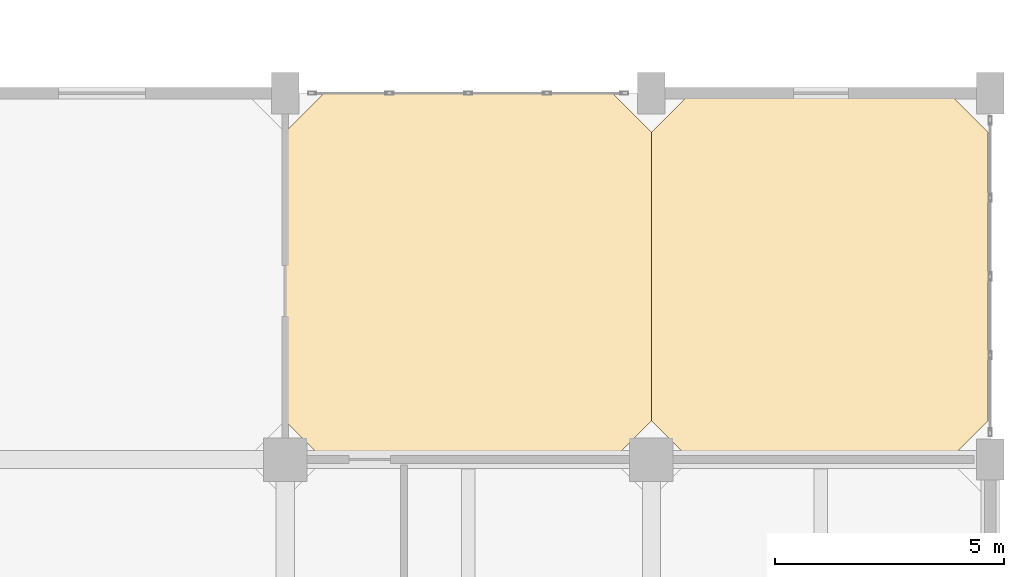
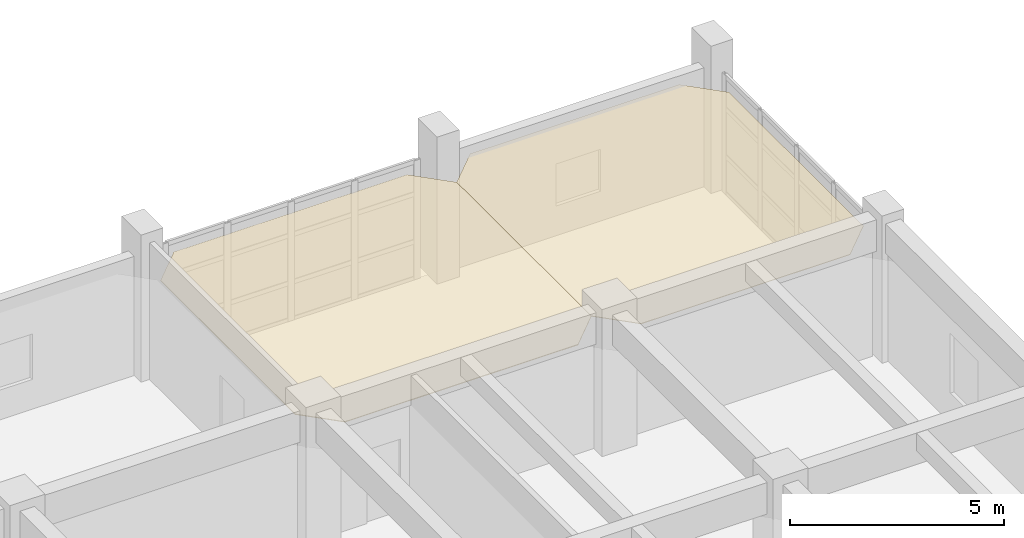
# One storey, part 35 of 35: 2 coverings.
"""IFC4 building model written with IfcOpenShell, lengths in metres."""

from ifc_helpers import new_model, si_unit, direction, frame, origin, place, context, subcontext, project, spatial, polyline, outline, extrude, material, layer, layer_set, type_object, element, save


model = new_model("IFC4")

# Units and contexts
model_context = context("Model", 3, precision=1e-05, world=origin(), true_north=direction((0.0, 1.0)))
body_context = subcontext(model_context, "Body", "Model", "MODEL_VIEW")
ifc_project = project(units=[si_unit("LENGTHUNIT", "METRE"), si_unit("AREAUNIT", "SQUARE_METRE"), si_unit("VOLUMEUNIT", "CUBIC_METRE"), si_unit("PLANEANGLEUNIT", "RADIAN"), si_unit("MASSUNIT", "GRAM", prefix="KILO")], contexts=[model_context])

# Site, building, storey
site_placement = place(None, origin())
site = spatial("IfcSite", under=ifc_project, at=site_placement, CompositionType="ELEMENT")
building_placement = place(site_placement, origin())
building = spatial("IfcBuilding", under=site, at=building_placement, Name="Canggui Botanical Conservatory", CompositionType="ELEMENT")
storey_placement = place(building_placement, frame((0.0, 0.0, 15.0)))
storey = spatial("IfcBuildingStorey", under=building, at=storey_placement, Name="L04", CompositionType="ELEMENT", Elevation=15.0)

# Coverings
ifc_material_1 = material(Name="Mineral Fibre Acoustic Board")
ifc_layer_1 = layer(ifc_material_1, 0.014892578125, Name="Mineral Fibre Acoustic Board")
ifc_layer_set_1 = layer_set([ifc_layer_1], Name="Mineral Fibre Acoustic Board")
covering_type_1 = type_object("IfcCoveringType", Name="COV-CEIL-15", PredefinedType="CEILING", material=ifc_layer_set_1)
covering_1_placement = place(storey_placement, frame((0.0, 0.0, 3.034912109375)))
element("IfcCovering", 1, at=covering_1_placement, inside=storey, type_object=covering_type_1, Name="Suspended Acoustic Ceiling L04-170-74", PredefinedType="CEILING", context=body_context, shape_type="SweptSolid", body=[
    extrude(outline(polyline([(170.85009765625, 74.0), (176.5, 74.0), (177.35009765625, 74.85009765625), (177.35009765625, 81.14990234375), (176.5, 82.0), (170.85009765625, 82.0), (170.0, 81.14990234375), (170.0, 74.85009765625), (170.85009765625, 74.0)])), origin(), (0.0, 0.0, 1.0), 0.01513671875),
])
ifc_material_2 = material(Name="Perforated Gypsum Acoustic Panel")
ifc_layer_2 = layer(ifc_material_2, 0.02001953125, Name="Perforated Gypsum Acoustic Panel")
ifc_layer_set_2 = layer_set([ifc_layer_2], Name="Perforated Gypsum Acoustic Panel")
covering_type_2 = type_object("IfcCoveringType", Name="COV-CEIL-20", PredefinedType="CEILING", material=ifc_layer_set_2)
covering_2_placement = place(storey_placement, frame((0.0, 0.0, 3.030029296875)))
element("IfcCovering", 2, at=covering_2_placement, inside=storey, type_object=covering_type_2, Name="Suspended Acoustic Ceiling L04-162-74", PredefinedType="CEILING", context=body_context, shape_type="SweptSolid", body=[
    extrude(outline(polyline([(162.85009765625, 74.0), (169.14990234375, 74.0), (170.0, 74.85009765625), (170.0, 81.14990234375), (169.14990234375, 82.0), (162.85009765625, 82.0), (162.0, 81.14990234375), (162.0, 74.85009765625), (162.85009765625, 74.0)])), origin(), (0.0, 0.0, 1.0), 0.02001953125),
])

save(model, "model.ifc")
